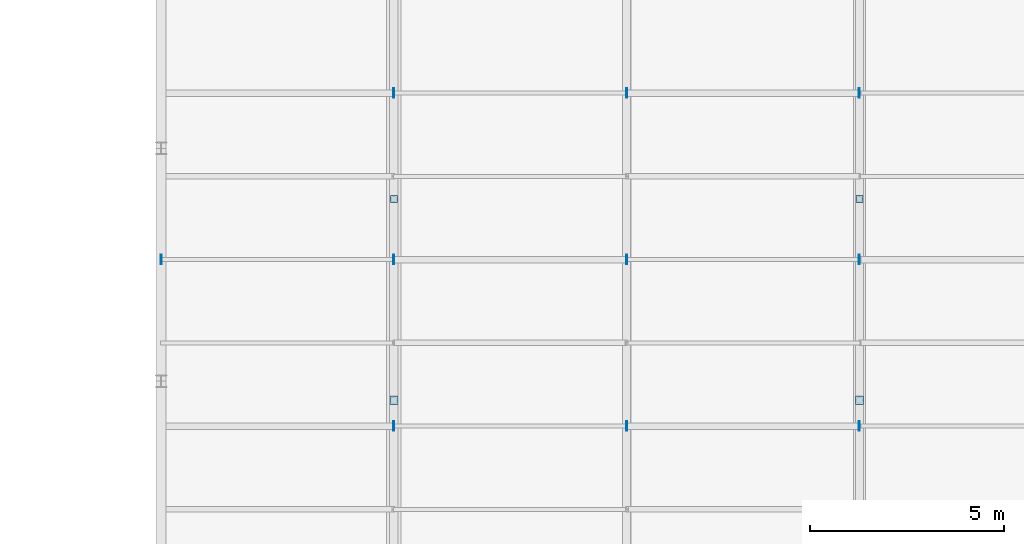
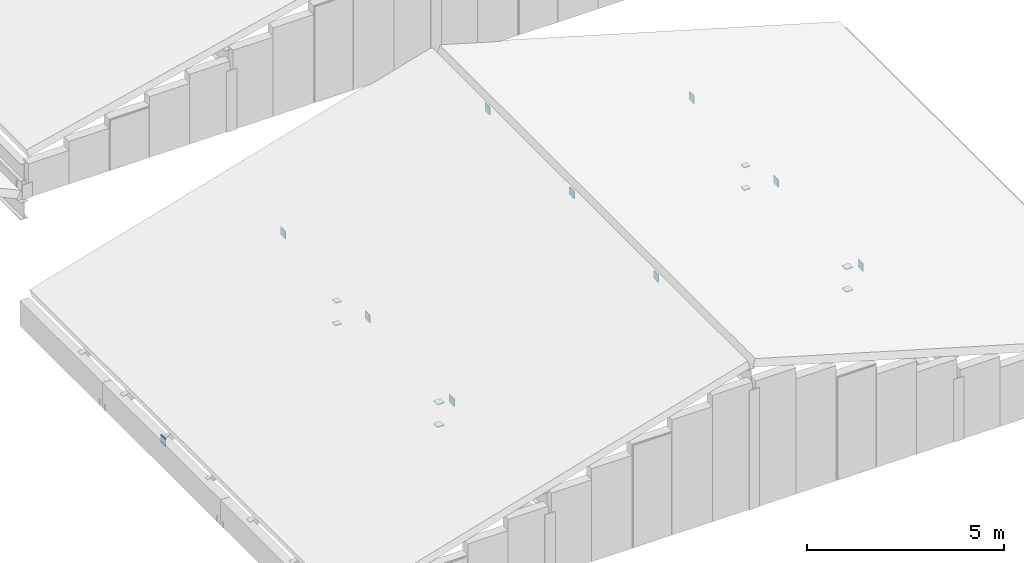
# One storey, part 58 of 74: 18 plates.
"""IFC4 building model written with IfcOpenShell, lengths in metres."""

from ifc_helpers import new_model, si_unit, direction, frame, origin, origin_2d, place, context, subcontext, project, spatial, rectangle, extrude, material, layer, layer_set, type_object, element, save


model = new_model("IFC4")

# Units and contexts
model_context = context("Model", 3, precision=1e-05, world=origin(), true_north=direction((0.0, 1.0)))
body_context = subcontext(model_context, "Body", "Model", "MODEL_VIEW")
ifc_project = project(units=[si_unit("LENGTHUNIT", "METRE"), si_unit("AREAUNIT", "SQUARE_METRE"), si_unit("VOLUMEUNIT", "CUBIC_METRE"), si_unit("PLANEANGLEUNIT", "RADIAN"), si_unit("MASSUNIT", "GRAM", prefix="KILO")], contexts=[model_context])

# Site, building, storey
site_placement = place(None, origin())
site = spatial("IfcSite", under=ifc_project, at=site_placement, CompositionType="ELEMENT")
building_placement = place(site_placement, origin())
building = spatial("IfcBuilding", under=site, at=building_placement, Name="Siltcreek Boulevard Central Fire Station", CompositionType="ELEMENT")
storey_placement = place(building_placement, frame((0.0, 0.0, 25.199951171875)))
storey = spatial("IfcBuildingStorey", under=building, at=storey_placement, Name="RF", CompositionType="ELEMENT", Elevation=25.199951171875)

# Plates
ifc_material = material(Name="Structural steel ASTM A572 Gr50", Category="steel")
ifc_layer = layer(ifc_material, 0.02490234375, Name="Structural steel ASTM A572 Gr50")
ifc_layer_set = layer_set([ifc_layer], Name="Structural steel ASTM A572 Gr50")
plate_type = type_object("IfcPlateType", Name="PL_CAP25", PredefinedType="USERDEFINED", material=ifc_layer_set)
for number, where, z_axis, x_axis, name in (
    (1, (148.199951171875, 7.30810546875, -13.93701171875), (0.0, 0.0, 1.0), (1.0, 0.0, 0.0), "Roof truss web strut BR-052 sealed end cap 1"),
    (2, (148.199951171875, 7.30810546875, -13.23583984375), (0.0, 0.0, 1.0), (1.0, 0.0, 0.0), "Roof truss web strut BR-052 sealed end cap 2"),
):
    element("IfcPlate", number, at=place(storey_placement, frame(where, z_axis=z_axis, x_axis=x_axis)), inside=storey, type_object=plate_type, Name=name, ObjectType="END CAP", PredefinedType="USERDEFINED", context=body_context, shape_type="SweptSolid", body=[
        extrude(rectangle(XDim=0.208251953125, YDim=0.208251953125, at=origin_2d()), origin(), (0.0, 0.0, 1.0), 0.02490234375),
    ])
for number, where, z_axis, x_axis, name in (
    (3, (148.199951171875, 12.491943359375, -13.93701171875), (0.0, 0.0, 1.0), (1.0, 0.0, 0.0), "Roof truss web strut BR-053 sealed end cap 1"),
    (4, (148.199951171875, 12.491943359375, -13.23583984375), (0.0, 0.0, 1.0), (1.0, 0.0, 0.0), "Roof truss web strut BR-053 sealed end cap 2"),
):
    element("IfcPlate", number, at=place(storey_placement, frame(where, z_axis=z_axis, x_axis=x_axis)), inside=storey, type_object=plate_type, Name=name, ObjectType="END CAP", PredefinedType="USERDEFINED", context=body_context, shape_type="SweptSolid", body=[
        extrude(rectangle(XDim=0.1796875, YDim=0.1796875, at=origin_2d()), origin(), (0.0, 0.0, 1.0), 0.02490234375),
    ])
for number, where, z_axis, x_axis, name in (
    (5, (142.199951171875, 10.932861328125, -14.6484375), (0.0, 0.0, 1.0), (1.0, 0.0, 0.0), "Sloped roof purlin PR-0311 sealed end cap 1"),
    (6, (148.2001953125, 10.932861328125, -12.8984375), (0.0, 0.0, 1.0), (1.0, 0.0, 0.0), "Sloped roof purlin PR-0311 sealed end cap 2"),
    (7, (148.199951171875, 6.641357421875, -12.8984375), (0.0, 0.0, 1.0), (1.0, 0.0, 0.0), "Sloped roof purlin PR-0315 sealed end cap 1"),
    (8, (154.2001953125, 6.641357421875, -11.1484375), (0.0, 0.0, 1.0), (1.0, 0.0, 0.0), "Sloped roof purlin PR-0315 sealed end cap 2"),
    (9, (148.199951171875, 15.224365234375, -12.8984375), (0.0, 0.0, 1.0), (1.0, 0.0, 0.0), "Sloped roof purlin PR-0319 sealed end cap 1"),
    (10, (154.2001953125, 15.224365234375, -11.1484375), (0.0, 0.0, 1.0), (1.0, 0.0, 0.0), "Sloped roof purlin PR-0319 sealed end cap 2"),
):
    element("IfcPlate", number, at=place(storey_placement, frame(where, z_axis=z_axis, x_axis=x_axis)), inside=storey, type_object=plate_type, Name=name, ObjectType="END CAP", PredefinedType="USERDEFINED", context=body_context, shape_type="SweptSolid", body=[
        extrude(rectangle(XDim=0.02490234375, YDim=0.239990234375, at=origin_2d()), origin(), (0.0, 0.0, 1.0), 0.239990234375),
    ])
for number, where, z_axis, x_axis, name in (
    (11, (160.199951171875, 7.30810546875, -13.93701171875), (0.0, 0.0, 1.0), (1.0, 0.0, 0.0), "Roof truss web strut BR-054 sealed end cap 1"),
    (12, (160.199951171875, 7.30810546875, -13.23583984375), (0.0, 0.0, 1.0), (1.0, 0.0, 0.0), "Roof truss web strut BR-054 sealed end cap 2"),
):
    element("IfcPlate", number, at=place(storey_placement, frame(where, z_axis=z_axis, x_axis=x_axis)), inside=storey, type_object=plate_type, Name=name, ObjectType="END CAP", PredefinedType="USERDEFINED", context=body_context, shape_type="SweptSolid", body=[
        extrude(rectangle(XDim=0.208251953125, YDim=0.208251953125, at=origin_2d()), origin(), (0.0, 0.0, 1.0), 0.02490234375),
    ])
for number, where, z_axis, x_axis, name in (
    (13, (160.199951171875, 12.491943359375, -13.93701171875), (0.0, 0.0, 1.0), (1.0, 0.0, 0.0), "Roof truss web strut BR-055 sealed end cap 1"),
    (14, (160.199951171875, 12.491943359375, -13.23583984375), (0.0, 0.0, 1.0), (1.0, 0.0, 0.0), "Roof truss web strut BR-055 sealed end cap 2"),
):
    element("IfcPlate", number, at=place(storey_placement, frame(where, z_axis=z_axis, x_axis=x_axis)), inside=storey, type_object=plate_type, Name=name, ObjectType="END CAP", PredefinedType="USERDEFINED", context=body_context, shape_type="SweptSolid", body=[
        extrude(rectangle(XDim=0.1796875, YDim=0.1796875, at=origin_2d()), origin(), (0.0, 0.0, 1.0), 0.02490234375),
    ])
for number, where, z_axis, x_axis, name in (
    (15, (154.199951171875, 10.932861328125, -11.1484375), (0.0, 0.0, 1.0), (1.0, 0.0, 0.0), "Sloped roof purlin PR-0323 sealed end cap 1"),
    (16, (160.2001953125, 10.932861328125, -12.8984375), (0.0, 0.0, 1.0), (1.0, 0.0, 0.0), "Sloped roof purlin PR-0323 sealed end cap 2"),
    (17, (160.199951171875, 6.641357421875, -12.8984375), (0.0, 0.0, 1.0), (1.0, 0.0, 0.0), "Sloped roof purlin PR-0327 sealed end cap 1"),
    (18, (160.199951171875, 15.224365234375, -12.8984375), (0.0, 0.0, 1.0), (1.0, 0.0, 0.0), "Sloped roof purlin PR-0331 sealed end cap 1"),
):
    element("IfcPlate", number, at=place(storey_placement, frame(where, z_axis=z_axis, x_axis=x_axis)), inside=storey, type_object=plate_type, Name=name, ObjectType="END CAP", PredefinedType="USERDEFINED", context=body_context, shape_type="SweptSolid", body=[
        extrude(rectangle(XDim=0.02490234375, YDim=0.239990234375, at=origin_2d()), origin(), (0.0, 0.0, 1.0), 0.239990234375),
    ])

save(model, "model.ifc")
